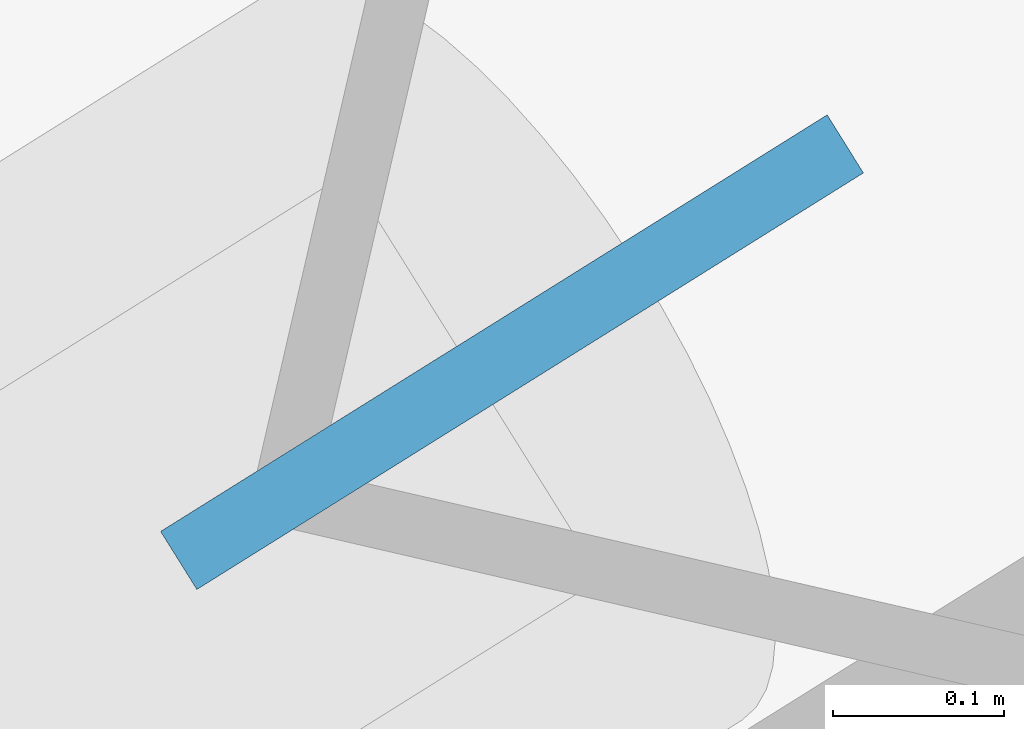
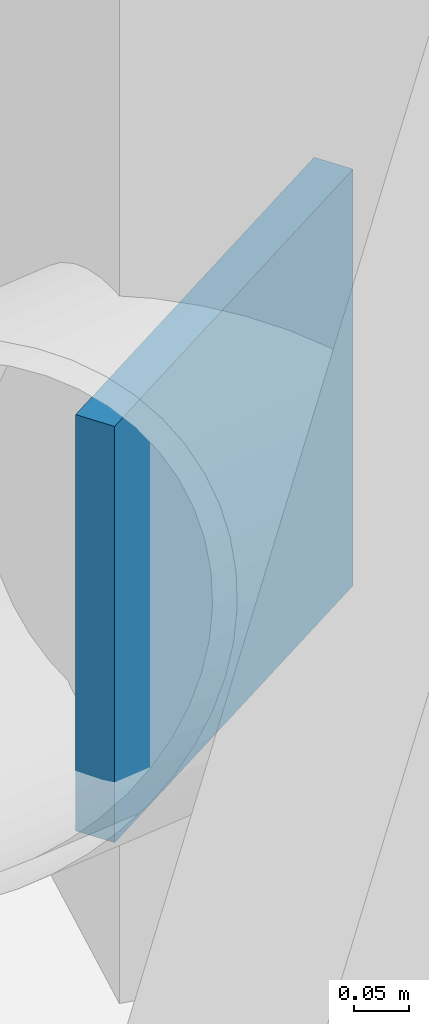
# One storey, part 17 of 20: 1 discrete accessory.
"""IFC4 building model written with IfcOpenShell, lengths in metres."""

from ifc_helpers import new_model, si_unit, direction, frame, origin, origin_2d, place, context, subcontext, project, spatial, rectangle, extrude, material, type_object, element, save


model = new_model("IFC4")

# Units and contexts
model_context = context("Model", 3, precision=1e-05, world=origin(), true_north=direction((0.0, 1.0)))
body_context = subcontext(model_context, "Body", "Model", "MODEL_VIEW")
ifc_project = project(units=[si_unit("LENGTHUNIT", "METRE"), si_unit("AREAUNIT", "SQUARE_METRE"), si_unit("VOLUMEUNIT", "CUBIC_METRE"), si_unit("PLANEANGLEUNIT", "RADIAN"), si_unit("MASSUNIT", "GRAM", prefix="KILO")], contexts=[model_context])

# Site, building, storey
site_placement = place(None, origin())
site = spatial("IfcSite", under=ifc_project, at=site_placement, CompositionType="ELEMENT")
building_placement = place(site_placement, origin())
building = spatial("IfcBuilding", under=site, at=building_placement, Name="Tavrogorsk Clinical Tower", CompositionType="ELEMENT")
storey_placement = place(building_placement, frame((0.0, 0.0, 67.39990234375)))
storey = spatial("IfcBuildingStorey", under=building, at=storey_placement, Name="L14", CompositionType="ELEMENT", Elevation=67.39990234375)

# Discrete accessory
ifc_material = material(Name="Structural steel S440", Category="steel")
discrete_accessory_type = type_object("IfcDiscreteAccessoryType", Name="GussetPlateBracket_25", PredefinedType="BRACKET", material=ifc_material)
discrete_accessory_placement = place(storey_placement, frame((-30.364013671875, 29.9541015625, 0.212646484375), z_axis=(0.0, 0.0, 1.0), x_axis=(-0.848048096156, -0.529919264233, 0.0)))
element("IfcDiscreteAccessory", 1, at=discrete_accessory_placement, inside=storey, type_object=discrete_accessory_type, Name="L14 Brace Gusset Plate EXOCRN-L14-3-A", PredefinedType="BRACKET", context=body_context, shape_type="SweptSolid", body=[
    extrude(rectangle(XDim=0.4599609375, YDim=0.0400390625, at=origin_2d()), origin(), (0.0, 0.0, 1.0), 0.4599609375),
])

save(model, "model.ifc")
